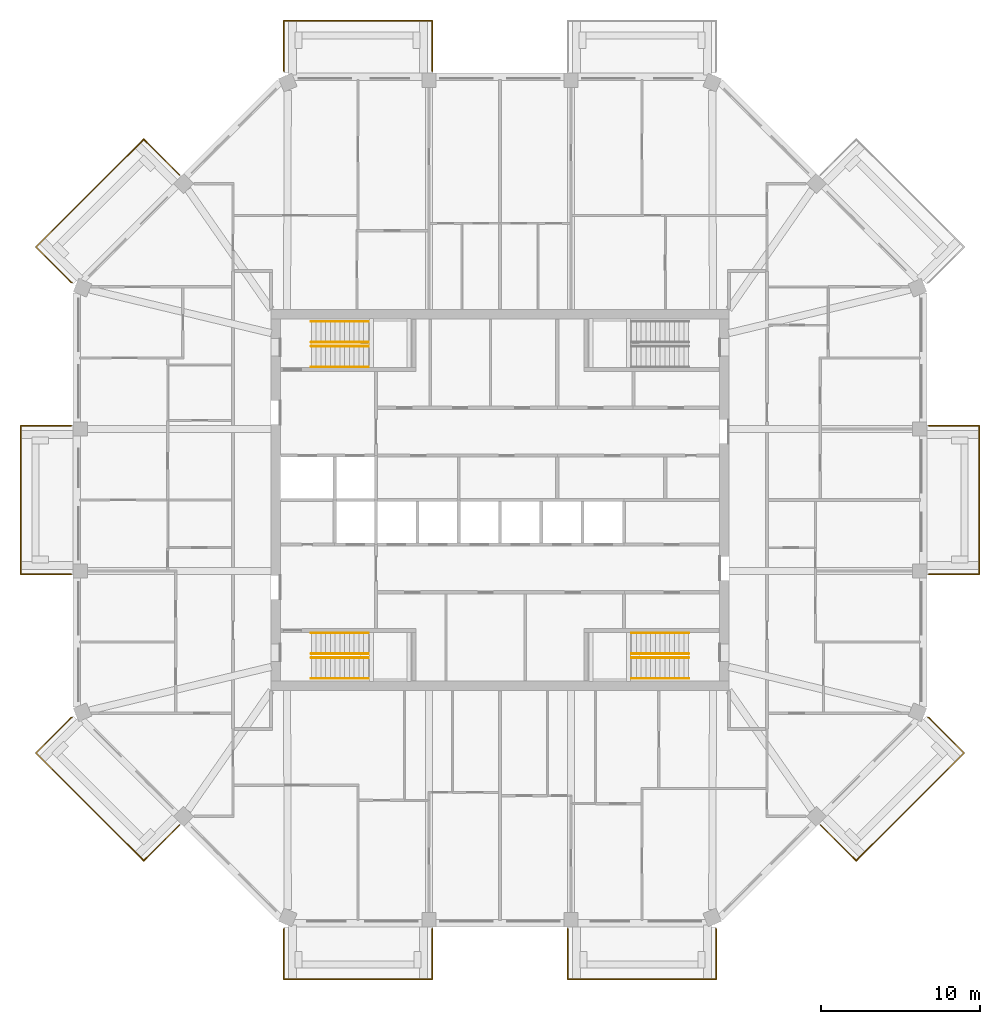
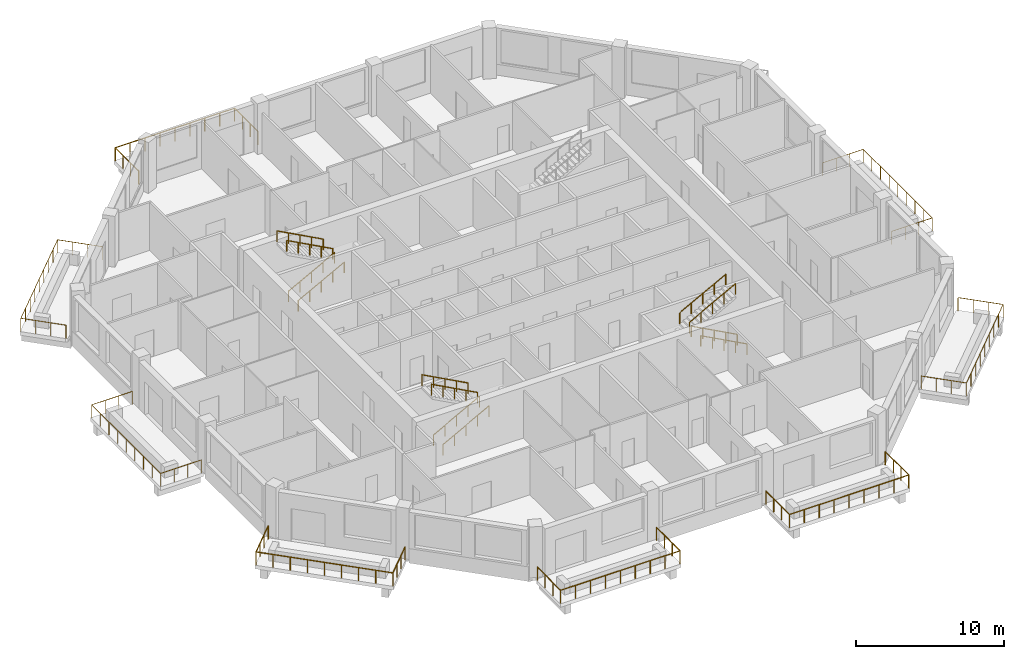
# One storey, part 11 of 12: 20 railings.
"""IFC4 building model written with IfcOpenShell, lengths in metres."""

from ifc_helpers import new_model, si_unit, direction, frame, origin, origin_2d, place, context, subcontext, project, spatial, circle, extrude, material, constituent, constituent_set, type_object, element, save


model = new_model("IFC4")

# Units and contexts
model_context = context("Model", 3, precision=1e-05, world=origin(), true_north=direction((0.0, 1.0)))
body_context = subcontext(model_context, "Body", "Model", "MODEL_VIEW")
ifc_project = project(units=[si_unit("LENGTHUNIT", "METRE"), si_unit("AREAUNIT", "SQUARE_METRE"), si_unit("VOLUMEUNIT", "CUBIC_METRE"), si_unit("PLANEANGLEUNIT", "RADIAN"), si_unit("MASSUNIT", "GRAM", prefix="KILO")], contexts=[model_context])

# Site, building, storey
site_placement = place(None, origin())
site = spatial("IfcSite", under=ifc_project, at=site_placement, CompositionType="ELEMENT")
building_placement = place(site_placement, origin())
building = spatial("IfcBuilding", under=site, at=building_placement, Name="Msitu Wima Residences", CompositionType="ELEMENT")
storey_placement = place(building_placement, frame((0.0, 0.0, 247.5)))
storey = spatial("IfcBuildingStorey", under=building, at=storey_placement, Name="L57", CompositionType="ELEMENT", Elevation=247.5)

# Railings
ifc_material_1 = material(Name="Steel S355", Category="steel")
ifc_constituent_1 = constituent(ifc_material_1, Name="Steel S355")
ifc_material_2 = material(Name="Weathering patina")
ifc_constituent_2 = constituent(ifc_material_2, Name="Weathering patina")
ifc_constituent_set_1 = constituent_set(constituents=[ifc_constituent_1, ifc_constituent_2], Name="Steel S355")
railing_type_1 = type_object("IfcRailingType", Name="Balcony guard GR1100", PredefinedType="GUARDRAIL", material=ifc_constituent_set_1)
railing_1_placement = place(storey_placement, frame((26.97998046875, 4.668701171875, 0.0)))
element("IfcRailing", 1, at=railing_1_placement, inside=storey, type_object=railing_type_1, Name="Balcony guard E1 L57", PredefinedType="GUARDRAIL", context=body_context, shape_type="SweptSolid", body=[
    extrude(circle(Radius=0.02392578125, at=origin_2d()), frame((0.0, 0.0, 1.076171875), z_axis=(1.0, 0.0, 0.0), x_axis=(0.0, 1.0, 0.0)), (0.0, 0.0, 1.0), 3.169921875),
    extrude(circle(Radius=0.02392578125, at=origin_2d()), frame((3.169921875, 0.0, 1.076171875), z_axis=(0.0, -1.0, 0.0), x_axis=(1.0, 0.0, 0.0)), (0.0, 0.0, 1.0), 9.33740234375),
    extrude(circle(Radius=0.02392578125, at=origin_2d()), frame((3.169921875, -9.33740234375, 1.076171875), z_axis=(-1.0, 0.0, 0.0), x_axis=(0.0, -1.0, 0.0)), (0.0, 0.0, 1.0), 3.169921875),
    extrude(circle(Radius=0.02099609375, at=origin_2d()), origin(), (0.0, 0.0, 1.0), 1.052001953125),
    extrude(circle(Radius=0.02099609375, at=origin_2d()), frame((1.056640625, 0.0, 0.0)), (0.0, 0.0, 1.0), 1.052001953125),
    extrude(circle(Radius=0.02099609375, at=origin_2d()), frame((2.11328125, 0.0, 0.0)), (0.0, 0.0, 1.0), 1.052001953125),
    extrude(circle(Radius=0.02099609375, at=origin_2d()), frame((3.169921875, 0.0, 0.0)), (0.0, 0.0, 1.0), 1.052001953125),
    extrude(circle(Radius=0.02099609375, at=origin_2d()), frame((3.169921875, -1.167236328125, 0.0)), (0.0, 0.0, 1.0), 1.052001953125),
    extrude(circle(Radius=0.02099609375, at=origin_2d()), frame((3.169921875, -2.33447265625, 0.0)), (0.0, 0.0, 1.0), 1.052001953125),
    extrude(circle(Radius=0.02099609375, at=origin_2d()), frame((3.169921875, -3.50146484375, 0.0)), (0.0, 0.0, 1.0), 1.052001953125),
    extrude(circle(Radius=0.02099609375, at=origin_2d()), frame((3.169921875, -4.668701171875, 0.0)), (0.0, 0.0, 1.0), 1.052001953125),
    extrude(circle(Radius=0.02099609375, at=origin_2d()), frame((3.169921875, -5.8359375, 0.0)), (0.0, 0.0, 1.0), 1.052001953125),
    extrude(circle(Radius=0.02099609375, at=origin_2d()), frame((3.169921875, -7.0029296875, 0.0)), (0.0, 0.0, 1.0), 1.052001953125),
    extrude(circle(Radius=0.02099609375, at=origin_2d()), frame((3.169921875, -8.170166015625, 0.0)), (0.0, 0.0, 1.0), 1.052001953125),
    extrude(circle(Radius=0.02099609375, at=origin_2d()), frame((3.169921875, -9.33740234375, 0.0)), (0.0, 0.0, 1.0), 1.052001953125),
    extrude(circle(Radius=0.02099609375, at=origin_2d()), frame((2.11328125, -9.33740234375, 0.0)), (0.0, 0.0, 1.0), 1.052001953125),
    extrude(circle(Radius=0.02099609375, at=origin_2d()), frame((1.056640625, -9.33740234375, 0.0)), (0.0, 0.0, 1.0), 1.052001953125),
    extrude(circle(Radius=0.02099609375, at=origin_2d()), frame((0.0, -9.33740234375, 0.0)), (0.0, 0.0, 1.0), 1.052001953125),
])
railing_2_placement = place(storey_placement, frame((-13.592041015625, 26.97998046875, 0.0)))
element("IfcRailing", 2, at=railing_2_placement, inside=storey, type_object=railing_type_1, Name="Balcony guard N2 L57", PredefinedType="GUARDRAIL", context=body_context, shape_type="SweptSolid", body=[
    extrude(circle(Radius=0.02392578125, at=origin_2d()), frame((0.0, 0.0, 1.076171875), z_axis=(-0.384136806859, 0.923276184907, 0.0), x_axis=(-0.923276184907, -0.384136806859, 0.0)), (0.0, 0.0, 1.0), 0.0361328125),
    extrude(circle(Radius=0.02392578125, at=origin_2d()), frame((-0.013916015625, 0.033447265625, 1.076171875), z_axis=(0.0, 1.0, 0.0), x_axis=(-1.0, 0.0, 0.0)), (0.0, 0.0, 1.0), 3.136474609375),
    extrude(circle(Radius=0.02392578125, at=origin_2d()), frame((-0.013916015625, 3.169921875, 1.076171875), z_axis=(1.0, 0.0, 0.0), x_axis=(0.0, 1.0, 0.0)), (0.0, 0.0, 1.0), 9.33740234375),
    extrude(circle(Radius=0.02392578125, at=origin_2d()), frame((9.323486328125, 3.169921875, 1.076171875), z_axis=(0.0, -1.0, 0.0), x_axis=(1.0, 0.0, 0.0)), (0.0, 0.0, 1.0), 3.169921875),
    extrude(circle(Radius=0.02099609375, at=origin_2d()), origin(), (0.0, 0.0, 1.0), 1.052001953125),
    extrude(circle(Radius=0.02099609375, at=origin_2d()), frame((-0.013916015625, 0.033447265625, 0.0)), (0.0, 0.0, 1.0), 1.052001953125),
    extrude(circle(Radius=0.02099609375, at=origin_2d()), frame((-0.013916015625, 1.078857421875, 0.0)), (0.0, 0.0, 1.0), 1.052001953125),
    extrude(circle(Radius=0.02099609375, at=origin_2d()), frame((-0.013916015625, 2.12451171875, 0.0)), (0.0, 0.0, 1.0), 1.052001953125),
    extrude(circle(Radius=0.02099609375, at=origin_2d()), frame((-0.013916015625, 3.169921875, 0.0)), (0.0, 0.0, 1.0), 1.052001953125),
    extrude(circle(Radius=0.02099609375, at=origin_2d()), frame((1.1533203125, 3.169921875, 0.0)), (0.0, 0.0, 1.0), 1.052001953125),
    extrude(circle(Radius=0.02099609375, at=origin_2d()), frame((2.3203125, 3.169921875, 0.0)), (0.0, 0.0, 1.0), 1.052001953125),
    extrude(circle(Radius=0.02099609375, at=origin_2d()), frame((3.487548828125, 3.169921875, 0.0)), (0.0, 0.0, 1.0), 1.052001953125),
    extrude(circle(Radius=0.02099609375, at=origin_2d()), frame((4.65478515625, 3.169921875, 0.0)), (0.0, 0.0, 1.0), 1.052001953125),
    extrude(circle(Radius=0.02099609375, at=origin_2d()), frame((5.822021484375, 3.169921875, 0.0)), (0.0, 0.0, 1.0), 1.052001953125),
    extrude(circle(Radius=0.02099609375, at=origin_2d()), frame((6.9892578125, 3.169921875, 0.0)), (0.0, 0.0, 1.0), 1.052001953125),
    extrude(circle(Radius=0.02099609375, at=origin_2d()), frame((8.15625, 3.169921875, 0.0)), (0.0, 0.0, 1.0), 1.052001953125),
    extrude(circle(Radius=0.02099609375, at=origin_2d()), frame((9.323486328125, 3.169921875, 0.0)), (0.0, 0.0, 1.0), 1.052001953125),
    extrude(circle(Radius=0.02099609375, at=origin_2d()), frame((9.323486328125, 2.11328125, 0.0)), (0.0, 0.0, 1.0), 1.052001953125),
    extrude(circle(Radius=0.02099609375, at=origin_2d()), frame((9.323486328125, 1.056640625, 0.0)), (0.0, 0.0, 1.0), 1.052001953125),
    extrude(circle(Radius=0.02099609375, at=origin_2d()), frame((9.323486328125, 0.0, 0.0)), (0.0, 0.0, 1.0), 1.052001953125),
])
railing_3_placement = place(storey_placement, frame((-26.941650390625, 13.684326171875, 0.0)))
element("IfcRailing", 3, at=railing_3_placement, inside=storey, type_object=railing_type_1, Name="Balcony guard NW1 L57", PredefinedType="GUARDRAIL", context=body_context, shape_type="SweptSolid", body=[
    extrude(circle(Radius=0.02392578125, at=origin_2d()), frame((0.0, 0.0, 1.076171875), z_axis=(-0.92426142649, 0.38176015442, 0.0), x_axis=(-0.38176015442, -0.92426142649, 0.0)), (0.0, 0.0, 1.0), 0.036376953125),
    extrude(circle(Radius=0.02392578125, at=origin_2d()), frame((-0.03369140625, 0.013916015625, 1.076171875), z_axis=(-0.707106781187, 0.707106781187, 0.0), x_axis=(-0.707106781187, -0.707106781187, 0.0)), (0.0, 0.0, 1.0), 3.136474609375),
    extrude(circle(Radius=0.02392578125, at=origin_2d()), frame((-2.25146484375, 2.231689453125, 1.076171875), z_axis=(0.707106781187, 0.707106781187, 0.0), x_axis=(-0.707106781187, 0.707106781187, 0.0)), (0.0, 0.0, 1.0), 9.58837890625),
    extrude(circle(Radius=0.02392578125, at=origin_2d()), frame((4.528564453125, 9.01171875, 1.076171875), z_axis=(0.707106781187, -0.707106781187, 0.0), x_axis=(0.707106781187, 0.707106781187, 0.0)), (0.0, 0.0, 1.0), 3.169921875),
    extrude(circle(Radius=0.02099609375, at=origin_2d()), origin(), (0.0, 0.0, 1.0), 1.052001953125),
    extrude(circle(Radius=0.02099609375, at=origin_2d()), frame((-0.03369140625, 0.013916015625, 0.0)), (0.0, 0.0, 1.0), 1.052001953125),
    extrude(circle(Radius=0.02099609375, at=origin_2d()), frame((-0.77294921875, 0.753173828125, 0.0)), (0.0, 0.0, 1.0), 1.052001953125),
    extrude(circle(Radius=0.02099609375, at=origin_2d()), frame((-1.51220703125, 1.492431640625, 0.0)), (0.0, 0.0, 1.0), 1.052001953125),
    extrude(circle(Radius=0.02099609375, at=origin_2d()), frame((-2.25146484375, 2.231689453125, 0.0)), (0.0, 0.0, 1.0), 1.052001953125),
    extrude(circle(Radius=0.02099609375, at=origin_2d()), frame((-1.404052734375, 3.0791015625, 0.0)), (0.0, 0.0, 1.0), 1.052001953125),
    extrude(circle(Radius=0.02099609375, at=origin_2d()), frame((-0.556396484375, 3.9267578125, 0.0)), (0.0, 0.0, 1.0), 1.052001953125),
    extrude(circle(Radius=0.02099609375, at=origin_2d()), frame((0.291015625, 4.774169921875, 0.0)), (0.0, 0.0, 1.0), 1.052001953125),
    extrude(circle(Radius=0.02099609375, at=origin_2d()), frame((1.138671875, 5.62158203125, 0.0)), (0.0, 0.0, 1.0), 1.052001953125),
    extrude(circle(Radius=0.02099609375, at=origin_2d()), frame((1.986083984375, 6.46923828125, 0.0)), (0.0, 0.0, 1.0), 1.052001953125),
    extrude(circle(Radius=0.02099609375, at=origin_2d()), frame((2.83349609375, 7.316650390625, 0.0)), (0.0, 0.0, 1.0), 1.052001953125),
    extrude(circle(Radius=0.02099609375, at=origin_2d()), frame((3.68115234375, 8.164306640625, 0.0)), (0.0, 0.0, 1.0), 1.052001953125),
    extrude(circle(Radius=0.02099609375, at=origin_2d()), frame((4.528564453125, 9.01171875, 0.0)), (0.0, 0.0, 1.0), 1.052001953125),
    extrude(circle(Radius=0.02099609375, at=origin_2d()), frame((5.275634765625, 8.2646484375, 0.0)), (0.0, 0.0, 1.0), 1.052001953125),
    extrude(circle(Radius=0.02099609375, at=origin_2d()), frame((6.02294921875, 7.517333984375, 0.0)), (0.0, 0.0, 1.0), 1.052001953125),
    extrude(circle(Radius=0.02099609375, at=origin_2d()), frame((6.77001953125, 6.770263671875, 0.0)), (0.0, 0.0, 1.0), 1.052001953125),
])
railing_4_placement = place(storey_placement, frame((-26.97998046875, -4.668701171875, 0.0)))
element("IfcRailing", 4, at=railing_4_placement, inside=storey, type_object=railing_type_1, Name="Balcony guard W1 L57", PredefinedType="GUARDRAIL", context=body_context, shape_type="SweptSolid", body=[
    extrude(circle(Radius=0.02392578125, at=origin_2d()), frame((0.0, 0.0, 1.076171875), z_axis=(-1.0, 0.0, 0.0), x_axis=(0.0, -1.0, 0.0)), (0.0, 0.0, 1.0), 3.169921875),
    extrude(circle(Radius=0.02392578125, at=origin_2d()), frame((-3.169921875, 0.0, 1.076171875), z_axis=(0.0, 1.0, 0.0), x_axis=(-1.0, 0.0, 0.0)), (0.0, 0.0, 1.0), 9.33740234375),
    extrude(circle(Radius=0.02392578125, at=origin_2d()), frame((-3.169921875, 9.33740234375, 1.076171875), z_axis=(1.0, 0.0, 0.0), x_axis=(0.0, 1.0, 0.0)), (0.0, 0.0, 1.0), 3.169921875),
    extrude(circle(Radius=0.02099609375, at=origin_2d()), origin(), (0.0, 0.0, 1.0), 1.052001953125),
    extrude(circle(Radius=0.02099609375, at=origin_2d()), frame((-1.056640625, 0.0, 0.0)), (0.0, 0.0, 1.0), 1.052001953125),
    extrude(circle(Radius=0.02099609375, at=origin_2d()), frame((-2.11328125, 0.0, 0.0)), (0.0, 0.0, 1.0), 1.052001953125),
    extrude(circle(Radius=0.02099609375, at=origin_2d()), frame((-3.169921875, 0.0, 0.0)), (0.0, 0.0, 1.0), 1.052001953125),
    extrude(circle(Radius=0.02099609375, at=origin_2d()), frame((-3.169921875, 1.167236328125, 0.0)), (0.0, 0.0, 1.0), 1.052001953125),
    extrude(circle(Radius=0.02099609375, at=origin_2d()), frame((-3.169921875, 2.33447265625, 0.0)), (0.0, 0.0, 1.0), 1.052001953125),
    extrude(circle(Radius=0.02099609375, at=origin_2d()), frame((-3.169921875, 3.50146484375, 0.0)), (0.0, 0.0, 1.0), 1.052001953125),
    extrude(circle(Radius=0.02099609375, at=origin_2d()), frame((-3.169921875, 4.668701171875, 0.0)), (0.0, 0.0, 1.0), 1.052001953125),
    extrude(circle(Radius=0.02099609375, at=origin_2d()), frame((-3.169921875, 5.8359375, 0.0)), (0.0, 0.0, 1.0), 1.052001953125),
    extrude(circle(Radius=0.02099609375, at=origin_2d()), frame((-3.169921875, 7.0029296875, 0.0)), (0.0, 0.0, 1.0), 1.052001953125),
    extrude(circle(Radius=0.02099609375, at=origin_2d()), frame((-3.169921875, 8.170166015625, 0.0)), (0.0, 0.0, 1.0), 1.052001953125),
    extrude(circle(Radius=0.02099609375, at=origin_2d()), frame((-3.169921875, 9.33740234375, 0.0)), (0.0, 0.0, 1.0), 1.052001953125),
    extrude(circle(Radius=0.02099609375, at=origin_2d()), frame((-2.11328125, 9.33740234375, 0.0)), (0.0, 0.0, 1.0), 1.052001953125),
    extrude(circle(Radius=0.02099609375, at=origin_2d()), frame((-1.056640625, 9.33740234375, 0.0)), (0.0, 0.0, 1.0), 1.052001953125),
    extrude(circle(Radius=0.02099609375, at=origin_2d()), frame((0.0, 9.33740234375, 0.0)), (0.0, 0.0, 1.0), 1.052001953125),
])
railing_5_placement = place(storey_placement, frame((-20.171630859375, -20.45458984375, 0.0)))
element("IfcRailing", 5, at=railing_5_placement, inside=storey, type_object=railing_type_1, Name="Balcony guard SW0 L57", PredefinedType="GUARDRAIL", context=body_context, shape_type="SweptSolid", body=[
    extrude(circle(Radius=0.02392578125, at=origin_2d()), frame((0.0, 0.0, 1.076171875), z_axis=(-0.707106781187, -0.707106781187, 0.0), x_axis=(0.707106781187, -0.707106781187, 0.0)), (0.0, 0.0, 1.0), 3.169921875),
    extrude(circle(Radius=0.02392578125, at=origin_2d()), frame((-2.241455078125, -2.241455078125, 1.076171875), z_axis=(-0.707106781187, 0.707106781187, 0.0), x_axis=(-0.707106781187, -0.707106781187, 0.0)), (0.0, 0.0, 1.0), 9.58837890625),
    extrude(circle(Radius=0.02392578125, at=origin_2d()), frame((-9.021484375, 4.53857421875, 1.076171875), z_axis=(0.707106781187, 0.707106781187, 0.0), x_axis=(-0.707106781187, 0.707106781187, 0.0)), (0.0, 0.0, 1.0), 3.136474609375),
    extrude(circle(Radius=0.02392578125, at=origin_2d()), frame((-6.8037109375, 6.75634765625, 1.076171875), z_axis=(0.92426142649, 0.38176015442, 0.0), x_axis=(-0.38176015442, 0.92426142649, 0.0)), (0.0, 0.0, 1.0), 0.036376953125),
    extrude(circle(Radius=0.02099609375, at=origin_2d()), origin(), (0.0, 0.0, 1.0), 1.052001953125),
    extrude(circle(Radius=0.02099609375, at=origin_2d()), frame((-0.7470703125, -0.7470703125, 0.0)), (0.0, 0.0, 1.0), 1.052001953125),
    extrude(circle(Radius=0.02099609375, at=origin_2d()), frame((-1.494384765625, -1.494384765625, 0.0)), (0.0, 0.0, 1.0), 1.052001953125),
    extrude(circle(Radius=0.02099609375, at=origin_2d()), frame((-2.241455078125, -2.241455078125, 0.0)), (0.0, 0.0, 1.0), 1.052001953125),
    extrude(circle(Radius=0.02099609375, at=origin_2d()), frame((-3.0888671875, -1.39404296875, 0.0)), (0.0, 0.0, 1.0), 1.052001953125),
    extrude(circle(Radius=0.02099609375, at=origin_2d()), frame((-3.9365234375, -0.54638671875, 0.0)), (0.0, 0.0, 1.0), 1.052001953125),
    extrude(circle(Radius=0.02099609375, at=origin_2d()), frame((-4.783935546875, 0.301025390625, 0.0)), (0.0, 0.0, 1.0), 1.052001953125),
    extrude(circle(Radius=0.02099609375, at=origin_2d()), frame((-5.63134765625, 1.1484375, 0.0)), (0.0, 0.0, 1.0), 1.052001953125),
    extrude(circle(Radius=0.02099609375, at=origin_2d()), frame((-6.47900390625, 1.99609375, 0.0)), (0.0, 0.0, 1.0), 1.052001953125),
    extrude(circle(Radius=0.02099609375, at=origin_2d()), frame((-7.326416015625, 2.843505859375, 0.0)), (0.0, 0.0, 1.0), 1.052001953125),
    extrude(circle(Radius=0.02099609375, at=origin_2d()), frame((-8.174072265625, 3.691162109375, 0.0)), (0.0, 0.0, 1.0), 1.052001953125),
    extrude(circle(Radius=0.02099609375, at=origin_2d()), frame((-9.021484375, 4.53857421875, 0.0)), (0.0, 0.0, 1.0), 1.052001953125),
    extrude(circle(Radius=0.02099609375, at=origin_2d()), frame((-8.2822265625, 5.27783203125, 0.0)), (0.0, 0.0, 1.0), 1.052001953125),
    extrude(circle(Radius=0.02099609375, at=origin_2d()), frame((-7.54296875, 6.01708984375, 0.0)), (0.0, 0.0, 1.0), 1.052001953125),
    extrude(circle(Radius=0.02099609375, at=origin_2d()), frame((-6.8037109375, 6.75634765625, 0.0)), (0.0, 0.0, 1.0), 1.052001953125),
    extrude(circle(Radius=0.02099609375, at=origin_2d()), frame((-6.77001953125, 6.770263671875, 0.0)), (0.0, 0.0, 1.0), 1.052001953125),
])
railing_6_placement = place(storey_placement, frame((-4.2685546875, -26.97998046875, 0.0)))
element("IfcRailing", 6, at=railing_6_placement, inside=storey, type_object=railing_type_1, Name="Balcony guard S0 L57", PredefinedType="GUARDRAIL", context=body_context, shape_type="SweptSolid", body=[
    extrude(circle(Radius=0.02392578125, at=origin_2d()), frame((0.0, 0.0, 1.076171875), z_axis=(0.0, -1.0, 0.0), x_axis=(1.0, 0.0, 0.0)), (0.0, 0.0, 1.0), 3.169921875),
    extrude(circle(Radius=0.02392578125, at=origin_2d()), frame((0.0, -3.169921875, 1.076171875), z_axis=(-1.0, 0.0, 0.0), x_axis=(0.0, -1.0, 0.0)), (0.0, 0.0, 1.0), 9.33740234375),
    extrude(circle(Radius=0.02392578125, at=origin_2d()), frame((-9.33740234375, -3.169921875, 1.076171875), z_axis=(0.0, 1.0, 0.0), x_axis=(-1.0, 0.0, 0.0)), (0.0, 0.0, 1.0), 3.136474609375),
    extrude(circle(Radius=0.02392578125, at=origin_2d()), frame((-9.33740234375, -0.033447265625, 1.076171875), z_axis=(0.384136806859, 0.923276184907, 0.0), x_axis=(-0.923276184907, 0.384136806859, 0.0)), (0.0, 0.0, 1.0), 0.0361328125),
    extrude(circle(Radius=0.02099609375, at=origin_2d()), origin(), (0.0, 0.0, 1.0), 1.052001953125),
    extrude(circle(Radius=0.02099609375, at=origin_2d()), frame((0.0, -1.056640625, 0.0)), (0.0, 0.0, 1.0), 1.052001953125),
    extrude(circle(Radius=0.02099609375, at=origin_2d()), frame((0.0, -2.11328125, 0.0)), (0.0, 0.0, 1.0), 1.052001953125),
    extrude(circle(Radius=0.02099609375, at=origin_2d()), frame((0.0, -3.169921875, 0.0)), (0.0, 0.0, 1.0), 1.052001953125),
    extrude(circle(Radius=0.02099609375, at=origin_2d()), frame((-1.167236328125, -3.169921875, 0.0)), (0.0, 0.0, 1.0), 1.052001953125),
    extrude(circle(Radius=0.02099609375, at=origin_2d()), frame((-2.33447265625, -3.169921875, 0.0)), (0.0, 0.0, 1.0), 1.052001953125),
    extrude(circle(Radius=0.02099609375, at=origin_2d()), frame((-3.50146484375, -3.169921875, 0.0)), (0.0, 0.0, 1.0), 1.052001953125),
    extrude(circle(Radius=0.02099609375, at=origin_2d()), frame((-4.668701171875, -3.169921875, 0.0)), (0.0, 0.0, 1.0), 1.052001953125),
    extrude(circle(Radius=0.02099609375, at=origin_2d()), frame((-5.8359375, -3.169921875, 0.0)), (0.0, 0.0, 1.0), 1.052001953125),
    extrude(circle(Radius=0.02099609375, at=origin_2d()), frame((-7.0029296875, -3.169921875, 0.0)), (0.0, 0.0, 1.0), 1.052001953125),
    extrude(circle(Radius=0.02099609375, at=origin_2d()), frame((-8.170166015625, -3.169921875, 0.0)), (0.0, 0.0, 1.0), 1.052001953125),
    extrude(circle(Radius=0.02099609375, at=origin_2d()), frame((-9.33740234375, -3.169921875, 0.0)), (0.0, 0.0, 1.0), 1.052001953125),
    extrude(circle(Radius=0.02099609375, at=origin_2d()), frame((-9.33740234375, -2.12451171875, 0.0)), (0.0, 0.0, 1.0), 1.052001953125),
    extrude(circle(Radius=0.02099609375, at=origin_2d()), frame((-9.33740234375, -1.078857421875, 0.0)), (0.0, 0.0, 1.0), 1.052001953125),
    extrude(circle(Radius=0.02099609375, at=origin_2d()), frame((-9.33740234375, -0.033447265625, 0.0)), (0.0, 0.0, 1.0), 1.052001953125),
    extrude(circle(Radius=0.02099609375, at=origin_2d()), frame((-9.323486328125, 0.0, 0.0)), (0.0, 0.0, 1.0), 1.052001953125),
])
railing_7_placement = place(storey_placement, frame((13.592041015625, -26.97998046875, 0.0)))
element("IfcRailing", 7, at=railing_7_placement, inside=storey, type_object=railing_type_1, Name="Balcony guard S2 L57", PredefinedType="GUARDRAIL", context=body_context, shape_type="SweptSolid", body=[
    extrude(circle(Radius=0.02392578125, at=origin_2d()), frame((0.0, 0.0, 1.076171875), z_axis=(0.384136806859, -0.923276184907, 0.0), x_axis=(0.923276184907, 0.384136806859, 0.0)), (0.0, 0.0, 1.0), 0.0361328125),
    extrude(circle(Radius=0.02392578125, at=origin_2d()), frame((0.013916015625, -0.033447265625, 1.076171875), z_axis=(0.0, -1.0, 0.0), x_axis=(1.0, 0.0, 0.0)), (0.0, 0.0, 1.0), 3.136474609375),
    extrude(circle(Radius=0.02392578125, at=origin_2d()), frame((0.013916015625, -3.169921875, 1.076171875), z_axis=(-1.0, 0.0, 0.0), x_axis=(0.0, -1.0, 0.0)), (0.0, 0.0, 1.0), 9.33740234375),
    extrude(circle(Radius=0.02392578125, at=origin_2d()), frame((-9.323486328125, -3.169921875, 1.076171875), z_axis=(0.0, 1.0, 0.0), x_axis=(-1.0, 0.0, 0.0)), (0.0, 0.0, 1.0), 3.169921875),
    extrude(circle(Radius=0.02099609375, at=origin_2d()), origin(), (0.0, 0.0, 1.0), 1.052001953125),
    extrude(circle(Radius=0.02099609375, at=origin_2d()), frame((0.013916015625, -0.033447265625, 0.0)), (0.0, 0.0, 1.0), 1.052001953125),
    extrude(circle(Radius=0.02099609375, at=origin_2d()), frame((0.013916015625, -1.078857421875, 0.0)), (0.0, 0.0, 1.0), 1.052001953125),
    extrude(circle(Radius=0.02099609375, at=origin_2d()), frame((0.013916015625, -2.12451171875, 0.0)), (0.0, 0.0, 1.0), 1.052001953125),
    extrude(circle(Radius=0.02099609375, at=origin_2d()), frame((0.013916015625, -3.169921875, 0.0)), (0.0, 0.0, 1.0), 1.052001953125),
    extrude(circle(Radius=0.02099609375, at=origin_2d()), frame((-1.1533203125, -3.169921875, 0.0)), (0.0, 0.0, 1.0), 1.052001953125),
    extrude(circle(Radius=0.02099609375, at=origin_2d()), frame((-2.3203125, -3.169921875, 0.0)), (0.0, 0.0, 1.0), 1.052001953125),
    extrude(circle(Radius=0.02099609375, at=origin_2d()), frame((-3.487548828125, -3.169921875, 0.0)), (0.0, 0.0, 1.0), 1.052001953125),
    extrude(circle(Radius=0.02099609375, at=origin_2d()), frame((-4.65478515625, -3.169921875, 0.0)), (0.0, 0.0, 1.0), 1.052001953125),
    extrude(circle(Radius=0.02099609375, at=origin_2d()), frame((-5.822021484375, -3.169921875, 0.0)), (0.0, 0.0, 1.0), 1.052001953125),
    extrude(circle(Radius=0.02099609375, at=origin_2d()), frame((-6.9892578125, -3.169921875, 0.0)), (0.0, 0.0, 1.0), 1.052001953125),
    extrude(circle(Radius=0.02099609375, at=origin_2d()), frame((-8.15625, -3.169921875, 0.0)), (0.0, 0.0, 1.0), 1.052001953125),
    extrude(circle(Radius=0.02099609375, at=origin_2d()), frame((-9.323486328125, -3.169921875, 0.0)), (0.0, 0.0, 1.0), 1.052001953125),
    extrude(circle(Radius=0.02099609375, at=origin_2d()), frame((-9.323486328125, -2.11328125, 0.0)), (0.0, 0.0, 1.0), 1.052001953125),
    extrude(circle(Radius=0.02099609375, at=origin_2d()), frame((-9.323486328125, -1.056640625, 0.0)), (0.0, 0.0, 1.0), 1.052001953125),
    extrude(circle(Radius=0.02099609375, at=origin_2d()), frame((-9.323486328125, 0.0, 0.0)), (0.0, 0.0, 1.0), 1.052001953125),
])
railing_8_placement = place(storey_placement, frame((26.941650390625, -13.684326171875, 0.0)))
element("IfcRailing", 8, at=railing_8_placement, inside=storey, type_object=railing_type_1, Name="Balcony guard SE1 L57", PredefinedType="GUARDRAIL", context=body_context, shape_type="SweptSolid", body=[
    extrude(circle(Radius=0.02392578125, at=origin_2d()), frame((0.0, 0.0, 1.076171875), z_axis=(0.92426142649, -0.38176015442, 0.0), x_axis=(0.38176015442, 0.92426142649, 0.0)), (0.0, 0.0, 1.0), 0.036376953125),
    extrude(circle(Radius=0.02392578125, at=origin_2d()), frame((0.03369140625, -0.013916015625, 1.076171875), z_axis=(0.707106781187, -0.707106781187, 0.0), x_axis=(0.707106781187, 0.707106781187, 0.0)), (0.0, 0.0, 1.0), 3.136474609375),
    extrude(circle(Radius=0.02392578125, at=origin_2d()), frame((2.25146484375, -2.231689453125, 1.076171875), z_axis=(-0.707106781187, -0.707106781187, 0.0), x_axis=(0.707106781187, -0.707106781187, 0.0)), (0.0, 0.0, 1.0), 9.58837890625),
    extrude(circle(Radius=0.02392578125, at=origin_2d()), frame((-4.528564453125, -9.01171875, 1.076171875), z_axis=(-0.707106781187, 0.707106781187, 0.0), x_axis=(-0.707106781187, -0.707106781187, 0.0)), (0.0, 0.0, 1.0), 3.169921875),
    extrude(circle(Radius=0.02099609375, at=origin_2d()), origin(), (0.0, 0.0, 1.0), 1.052001953125),
    extrude(circle(Radius=0.02099609375, at=origin_2d()), frame((0.03369140625, -0.013916015625, 0.0)), (0.0, 0.0, 1.0), 1.052001953125),
    extrude(circle(Radius=0.02099609375, at=origin_2d()), frame((0.77294921875, -0.753173828125, 0.0)), (0.0, 0.0, 1.0), 1.052001953125),
    extrude(circle(Radius=0.02099609375, at=origin_2d()), frame((1.51220703125, -1.492431640625, 0.0)), (0.0, 0.0, 1.0), 1.052001953125),
    extrude(circle(Radius=0.02099609375, at=origin_2d()), frame((2.25146484375, -2.231689453125, 0.0)), (0.0, 0.0, 1.0), 1.052001953125),
    extrude(circle(Radius=0.02099609375, at=origin_2d()), frame((1.404052734375, -3.0791015625, 0.0)), (0.0, 0.0, 1.0), 1.052001953125),
    extrude(circle(Radius=0.02099609375, at=origin_2d()), frame((0.556396484375, -3.9267578125, 0.0)), (0.0, 0.0, 1.0), 1.052001953125),
    extrude(circle(Radius=0.02099609375, at=origin_2d()), frame((-0.291015625, -4.774169921875, 0.0)), (0.0, 0.0, 1.0), 1.052001953125),
    extrude(circle(Radius=0.02099609375, at=origin_2d()), frame((-1.138671875, -5.62158203125, 0.0)), (0.0, 0.0, 1.0), 1.052001953125),
    extrude(circle(Radius=0.02099609375, at=origin_2d()), frame((-1.986083984375, -6.46923828125, 0.0)), (0.0, 0.0, 1.0), 1.052001953125),
    extrude(circle(Radius=0.02099609375, at=origin_2d()), frame((-2.83349609375, -7.316650390625, 0.0)), (0.0, 0.0, 1.0), 1.052001953125),
    extrude(circle(Radius=0.02099609375, at=origin_2d()), frame((-3.68115234375, -8.164306640625, 0.0)), (0.0, 0.0, 1.0), 1.052001953125),
    extrude(circle(Radius=0.02099609375, at=origin_2d()), frame((-4.528564453125, -9.01171875, 0.0)), (0.0, 0.0, 1.0), 1.052001953125),
    extrude(circle(Radius=0.02099609375, at=origin_2d()), frame((-5.275634765625, -8.2646484375, 0.0)), (0.0, 0.0, 1.0), 1.052001953125),
    extrude(circle(Radius=0.02099609375, at=origin_2d()), frame((-6.02294921875, -7.517333984375, 0.0)), (0.0, 0.0, 1.0), 1.052001953125),
    extrude(circle(Radius=0.02099609375, at=origin_2d()), frame((-6.77001953125, -6.770263671875, 0.0)), (0.0, 0.0, 1.0), 1.052001953125),
])
ifc_constituent_3 = constituent(ifc_material_1, Name="Steel S355")
ifc_material_3 = material(Name="Black powder coating")
ifc_constituent_4 = constituent(ifc_material_3, Name="Black powder coating")
ifc_constituent_set_2 = constituent_set(constituents=[ifc_constituent_3, ifc_constituent_4], Name="Steel S355")
railing_type_2 = type_object("IfcRailingType", Name="Stair handrail HR1", PredefinedType="HANDRAIL", material=ifc_constituent_set_2)
for number, where, name in (
    (9, (-11.875, 8.375, 0.16162109375), "Stair 1 handrail"),
    (10, (-11.875, 9.675048828125, 0.16162109375), "Stair 1 handrail"),
):
    element("IfcRailing", number, at=place(storey_placement, frame(where)), inside=storey, type_object=railing_type_2, Name=name, PredefinedType="HANDRAIL", context=body_context, shape_type="SweptSolid", body=[
        extrude(circle(Radius=0.02392578125, at=origin_2d()), frame((0.0, 0.0, 0.8759765625), z_axis=(0.880474934443, 0.0, 0.474092701714), x_axis=(0.0, 1.0, 0.0)), (0.0, 0.0, 1.0), 4.0888671875),
        extrude(circle(Radius=0.02099609375, at=origin_2d()), origin(), (0.0, 0.0, 1.0), 0.851806640625),
        extrude(circle(Radius=0.02099609375, at=origin_2d()), frame((0.89990234375, 0.0, 0.484619140625)), (0.0, 0.0, 1.0), 0.851806640625),
        extrude(circle(Radius=0.02099609375, at=origin_2d()), frame((1.800048828125, 0.0, 0.96923828125)), (0.0, 0.0, 1.0), 0.851806640625),
        extrude(circle(Radius=0.02099609375, at=origin_2d()), frame((2.7001953125, 0.0, 1.453857421875)), (0.0, 0.0, 1.0), 0.851806640625),
        extrude(circle(Radius=0.02099609375, at=origin_2d()), frame((3.60009765625, 0.0, 1.9384765625)), (0.0, 0.0, 1.0), 0.851806640625),
    ])
for number, where, name in (
    (11, (-8.27490234375, 9.925048828125, 2.261474609375), "Stair 1 handrail"),
    (12, (-8.27490234375, 11.22509765625, 2.261474609375), "Stair 1 handrail"),
):
    element("IfcRailing", number, at=place(storey_placement, frame(where)), inside=storey, type_object=railing_type_2, Name=name, PredefinedType="HANDRAIL", context=body_context, shape_type="SweptSolid", body=[
        extrude(circle(Radius=0.02392578125, at=origin_2d()), frame((0.0, 0.0, 0.8759765625), z_axis=(-0.880474934443, 0.0, 0.474092701714), x_axis=(0.0, -1.0, 0.0)), (0.0, 0.0, 1.0), 4.0888671875),
        extrude(circle(Radius=0.02099609375, at=origin_2d()), origin(), (0.0, 0.0, 1.0), 0.851806640625),
        extrude(circle(Radius=0.02099609375, at=origin_2d()), frame((-0.89990234375, 0.0, 0.484619140625)), (0.0, 0.0, 1.0), 0.851806640625),
        extrude(circle(Radius=0.02099609375, at=origin_2d()), frame((-1.800048828125, 0.0, 0.96923828125)), (0.0, 0.0, 1.0), 0.851806640625),
        extrude(circle(Radius=0.02099609375, at=origin_2d()), frame((-2.7001953125, 0.0, 1.453857421875)), (0.0, 0.0, 1.0), 0.851806640625),
        extrude(circle(Radius=0.02099609375, at=origin_2d()), frame((-3.60009765625, 0.0, 1.9384765625)), (0.0, 0.0, 1.0), 0.851806640625),
    ])
for number, where, name in (
    (13, (-11.875, -11.22509765625, 0.16162109375), "Stair 2 handrail"),
    (14, (-11.875, -9.925048828125, 0.16162109375), "Stair 2 handrail"),
):
    element("IfcRailing", number, at=place(storey_placement, frame(where)), inside=storey, type_object=railing_type_2, Name=name, PredefinedType="HANDRAIL", context=body_context, shape_type="SweptSolid", body=[
        extrude(circle(Radius=0.02392578125, at=origin_2d()), frame((0.0, 0.0, 0.8759765625), z_axis=(0.880474934443, 0.0, 0.474092701714), x_axis=(0.0, 1.0, 0.0)), (0.0, 0.0, 1.0), 4.0888671875),
        extrude(circle(Radius=0.02099609375, at=origin_2d()), origin(), (0.0, 0.0, 1.0), 0.851806640625),
        extrude(circle(Radius=0.02099609375, at=origin_2d()), frame((0.89990234375, 0.0, 0.484619140625)), (0.0, 0.0, 1.0), 0.851806640625),
        extrude(circle(Radius=0.02099609375, at=origin_2d()), frame((1.800048828125, 0.0, 0.96923828125)), (0.0, 0.0, 1.0), 0.851806640625),
        extrude(circle(Radius=0.02099609375, at=origin_2d()), frame((2.7001953125, 0.0, 1.453857421875)), (0.0, 0.0, 1.0), 0.851806640625),
        extrude(circle(Radius=0.02099609375, at=origin_2d()), frame((3.60009765625, 0.0, 1.9384765625)), (0.0, 0.0, 1.0), 0.851806640625),
    ])
for number, where, name in (
    (15, (-8.27490234375, -9.675048828125, 2.261474609375), "Stair 2 handrail"),
    (16, (-8.27490234375, -8.375, 2.261474609375), "Stair 2 handrail"),
    (17, (11.875, -11.22509765625, 0.16162109375), "Stair 4 handrail"),
    (18, (11.875, -9.925048828125, 0.16162109375), "Stair 4 handrail"),
):
    element("IfcRailing", number, at=place(storey_placement, frame(where)), inside=storey, type_object=railing_type_2, Name=name, PredefinedType="HANDRAIL", context=body_context, shape_type="SweptSolid", body=[
        extrude(circle(Radius=0.02392578125, at=origin_2d()), frame((0.0, 0.0, 0.8759765625), z_axis=(-0.880474934443, 0.0, 0.474092701714), x_axis=(0.0, -1.0, 0.0)), (0.0, 0.0, 1.0), 4.0888671875),
        extrude(circle(Radius=0.02099609375, at=origin_2d()), origin(), (0.0, 0.0, 1.0), 0.851806640625),
        extrude(circle(Radius=0.02099609375, at=origin_2d()), frame((-0.89990234375, 0.0, 0.484619140625)), (0.0, 0.0, 1.0), 0.851806640625),
        extrude(circle(Radius=0.02099609375, at=origin_2d()), frame((-1.800048828125, 0.0, 0.96923828125)), (0.0, 0.0, 1.0), 0.851806640625),
        extrude(circle(Radius=0.02099609375, at=origin_2d()), frame((-2.7001953125, 0.0, 1.453857421875)), (0.0, 0.0, 1.0), 0.851806640625),
        extrude(circle(Radius=0.02099609375, at=origin_2d()), frame((-3.60009765625, 0.0, 1.9384765625)), (0.0, 0.0, 1.0), 0.851806640625),
    ])
for number, where, name in (
    (19, (8.27490234375, -9.675048828125, 2.261474609375), "Stair 4 handrail"),
    (20, (8.27490234375, -8.375, 2.261474609375), "Stair 4 handrail"),
):
    element("IfcRailing", number, at=place(storey_placement, frame(where)), inside=storey, type_object=railing_type_2, Name=name, PredefinedType="HANDRAIL", context=body_context, shape_type="SweptSolid", body=[
        extrude(circle(Radius=0.02392578125, at=origin_2d()), frame((0.0, 0.0, 0.8759765625), z_axis=(0.880474934443, 0.0, 0.474092701714), x_axis=(0.0, 1.0, 0.0)), (0.0, 0.0, 1.0), 4.0888671875),
        extrude(circle(Radius=0.02099609375, at=origin_2d()), origin(), (0.0, 0.0, 1.0), 0.851806640625),
        extrude(circle(Radius=0.02099609375, at=origin_2d()), frame((0.89990234375, 0.0, 0.484619140625)), (0.0, 0.0, 1.0), 0.851806640625),
        extrude(circle(Radius=0.02099609375, at=origin_2d()), frame((1.800048828125, 0.0, 0.96923828125)), (0.0, 0.0, 1.0), 0.851806640625),
        extrude(circle(Radius=0.02099609375, at=origin_2d()), frame((2.7001953125, 0.0, 1.453857421875)), (0.0, 0.0, 1.0), 0.851806640625),
        extrude(circle(Radius=0.02099609375, at=origin_2d()), frame((3.60009765625, 0.0, 1.9384765625)), (0.0, 0.0, 1.0), 0.851806640625),
    ])

save(model, "model.ifc")
